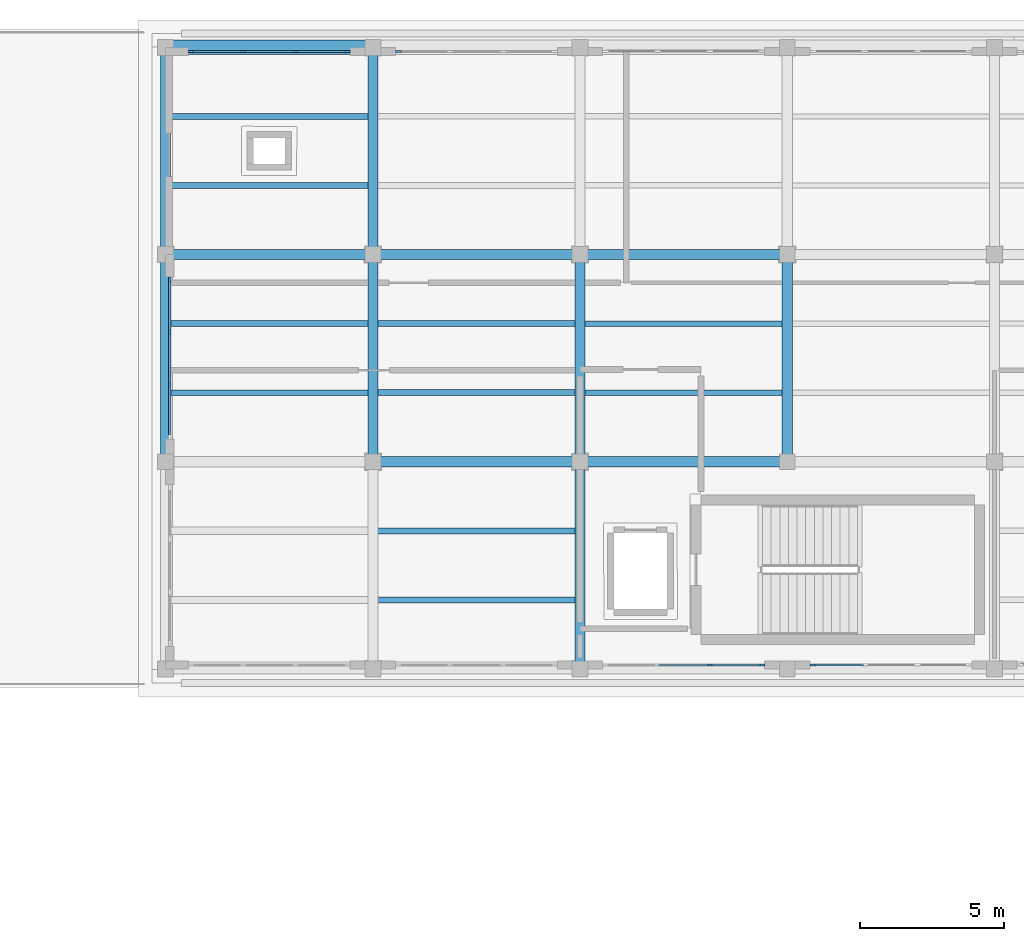
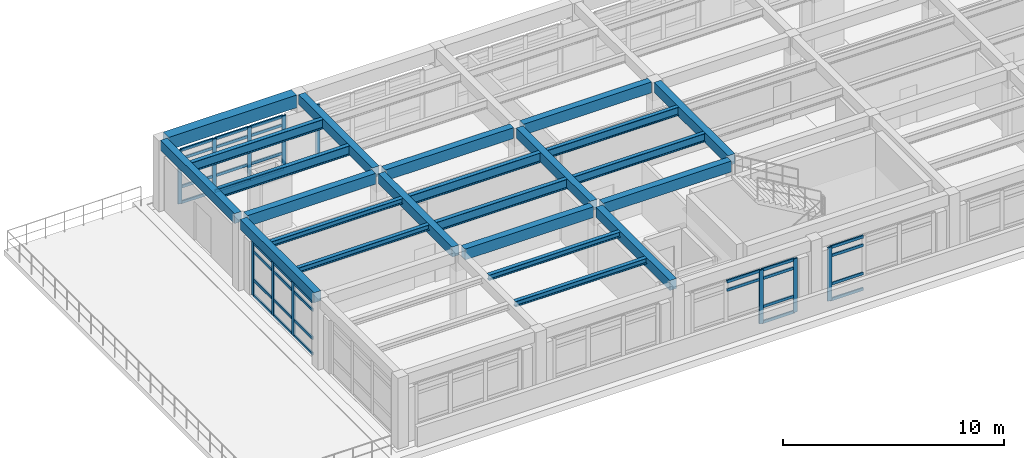
# One storey, part 3 of 21: 45 members, 23 beams, 5 elements without a shape of their own.
"""IFC4 building model written with IfcOpenShell, lengths in metres."""

from ifc_helpers import new_model, si_unit, direction, frame, origin, origin_2d, place, context, subcontext, project, spatial, rectangle, i_section, extrude, material, layer, layer_set, material_profile, profile_set, type_object, element, aggregate, save


model = new_model("IFC4")

# Units and contexts
model_context = context("Model", 3, precision=1e-05, world=origin(), true_north=direction((0.0, 1.0)))
body_context = subcontext(model_context, "Body", "Model", "MODEL_VIEW")
ifc_project = project(units=[si_unit("LENGTHUNIT", "METRE"), si_unit("AREAUNIT", "SQUARE_METRE"), si_unit("VOLUMEUNIT", "CUBIC_METRE"), si_unit("PLANEANGLEUNIT", "RADIAN"), si_unit("MASSUNIT", "GRAM", prefix="KILO")], contexts=[model_context])

# Site, building, storey
site_placement = place(None, origin())
site = spatial("IfcSite", under=ifc_project, at=site_placement, CompositionType="ELEMENT")
building_placement = place(site_placement, origin())
building = spatial("IfcBuilding", under=site, at=building_placement, Name="Solenvale Faculty of Natural Sciences", CompositionType="ELEMENT")
storey_placement = place(building_placement, frame((0.0, 0.0, 31.199951171875)))
storey = spatial("IfcBuildingStorey", under=building, at=storey_placement, Name="L07", CompositionType="ELEMENT", Elevation=31.199951171875)

# Beams
ifc_material_1 = material(Name="Concrete 40 MPa", Category="concrete")
ifc_material_profile_1 = material_profile(ifc_material_1, rectangle(XDim=0.35009765625, YDim=0.550048828125, at=origin_2d()), Name="RC-BM-350x550")
ifc_profile_set_1 = profile_set([ifc_material_profile_1], Name="Concrete 40 MPa")
beam_type_1 = type_object("IfcBeamType", Name="BM-RC-350x550", PredefinedType="BEAM", material=ifc_profile_set_1)
for number, where, z_axis, x_axis, name in (
    (1, (86.39990234375, 101.054931640625, 3.64501953125), (0.0, 1.0, 0.0), (-1.0, 0.0, 0.0), "L07 Y-Girder X86.4 (100.8..108.0)"),
    (2, (86.39990234375, 108.2548828125, 3.64501953125), (0.0, 1.0, 0.0), (-1.0, 0.0, 0.0), "L07 Y-Girder X86.4 (108.0..115.2)"),
    (3, (93.60009765625, 101.054931640625, 3.64501953125), (0.0, 1.0, 0.0), (-1.0, 0.0, 0.0), "L07 Y-Girder X93.6 (100.8..108.0)"),
    (4, (93.60009765625, 108.2548828125, 3.64501953125), (0.0, 1.0, 0.0), (-1.0, 0.0, 0.0), "L07 Y-Girder X93.6 (108.0..115.2)"),
):
    element("IfcBeam", number, at=place(storey_placement, frame(where, z_axis=z_axis, x_axis=x_axis)), inside=storey, type_object=beam_type_1, Name=name, PredefinedType="BEAM", context=body_context, shape_type="SweptSolid", body=[
        extrude(rectangle(XDim=0.35009765625, YDim=0.550048828125, at=origin_2d()), origin(), (0.0, 0.0, 1.0), 6.690185546875),
    ])
beam_1_placement = place(storey_placement, frame((100.800048828125, 93.85498046875, 3.64501953125), z_axis=(0.0, 1.0, 0.0), x_axis=(-1.0, 0.0, 0.0)))
element("IfcBeam", 5, at=beam_1_placement, inside=storey, type_object=beam_type_1, Name="L07 Y-Girder X100.8 (93.6..100.8)", PredefinedType="BEAM", context=body_context, shape_type="SweptSolid", body=[
    extrude(rectangle(XDim=0.35009765625, YDim=0.550048828125, at=origin_2d()), origin(), (0.0, 0.0, 1.0), 6.68994140625),
])
for number, where, z_axis, x_axis, name in (
    (6, (100.800048828125, 101.054931640625, 3.64501953125), (0.0, 1.0, 0.0), (-1.0, 0.0, 0.0), "L07 Y-Girder X100.8 (100.8..108.0)"),
    (7, (108.0, 101.054931640625, 3.64501953125), (0.0, 1.0, 0.0), (-1.0, 0.0, 0.0), "L07 Y-Girder X108.0 (100.8..108.0)"),
):
    element("IfcBeam", number, at=place(storey_placement, frame(where, z_axis=z_axis, x_axis=x_axis)), inside=storey, type_object=beam_type_1, Name=name, PredefinedType="BEAM", context=body_context, shape_type="SweptSolid", body=[
        extrude(rectangle(XDim=0.35009765625, YDim=0.550048828125, at=origin_2d()), origin(), (0.0, 0.0, 1.0), 6.690185546875),
    ])
ifc_material_profile_2 = material_profile(ifc_material_1, rectangle(XDim=0.35009765625, YDim=0.60009765625, at=origin_2d()), Name="RC-BM-350x600")
ifc_profile_set_2 = profile_set([ifc_material_profile_2], Name="Concrete 40 MPa")
beam_type_2 = type_object("IfcBeamType", Name="BM-RC-350x600", PredefinedType="BEAM", material=ifc_profile_set_2)
beam_2_placement = place(storey_placement, frame((93.85498046875, 100.800048828125, 3.6201171875), z_axis=(1.0, 0.0, 0.0), x_axis=(0.0, 1.0, 0.0)))
element("IfcBeam", 8, at=beam_2_placement, inside=storey, type_object=beam_type_2, Name="L07 X-Girder Y100.8 (93.6..100.8)", PredefinedType="BEAM", context=body_context, shape_type="SweptSolid", body=[
    extrude(rectangle(XDim=0.35009765625, YDim=0.60009765625, at=origin_2d()), origin(), (0.0, 0.0, 1.0), 6.68994140625),
])
beam_3_placement = place(storey_placement, frame((101.054931640625, 100.800048828125, 3.6201171875), z_axis=(1.0, 0.0, 0.0), x_axis=(0.0, 1.0, 0.0)))
element("IfcBeam", 9, at=beam_3_placement, inside=storey, type_object=beam_type_2, Name="L07 X-Girder Y100.8 (100.8..108.0)", PredefinedType="BEAM", context=body_context, shape_type="SweptSolid", body=[
    extrude(rectangle(XDim=0.35009765625, YDim=0.60009765625, at=origin_2d()), origin(), (0.0, 0.0, 1.0), 6.690185546875),
])
for number, where, z_axis, x_axis, name in (
    (10, (86.655029296875, 108.0, 3.6201171875), (1.0, 0.0, 0.0), (0.0, 1.0, 0.0), "L07 X-Girder Y108.0 (86.4..93.6)"),
    (11, (93.85498046875, 108.0, 3.6201171875), (1.0, 0.0, 0.0), (0.0, 1.0, 0.0), "L07 X-Girder Y108.0 (93.6..100.8)"),
):
    element("IfcBeam", number, at=place(storey_placement, frame(where, z_axis=z_axis, x_axis=x_axis)), inside=storey, type_object=beam_type_2, Name=name, PredefinedType="BEAM", context=body_context, shape_type="SweptSolid", body=[
        extrude(rectangle(XDim=0.35009765625, YDim=0.60009765625, at=origin_2d()), origin(), (0.0, 0.0, 1.0), 6.68994140625),
    ])
beam_4_placement = place(storey_placement, frame((101.054931640625, 108.0, 3.6201171875), z_axis=(1.0, 0.0, 0.0), x_axis=(0.0, 1.0, 0.0)))
element("IfcBeam", 12, at=beam_4_placement, inside=storey, type_object=beam_type_2, Name="L07 X-Girder Y108.0 (100.8..108.0)", PredefinedType="BEAM", context=body_context, shape_type="SweptSolid", body=[
    extrude(rectangle(XDim=0.35009765625, YDim=0.60009765625, at=origin_2d()), origin(), (0.0, 0.0, 1.0), 6.690185546875),
])
ifc_material_2 = material(Name="Precast concrete 40 MPa", Category="concrete")
ifc_material_profile_3 = material_profile(ifc_material_2, rectangle(XDim=0.5, YDim=0.699951171875, at=origin_2d()), Name="RC-BM-500x700")
ifc_profile_set_3 = profile_set([ifc_material_profile_3], Name="Precast concrete 40 MPa")
beam_type_3 = type_object("IfcBeamType", Name="BM-SPN-PRC-700", PredefinedType="SPANDREL", material=ifc_profile_set_3)
beam_5_placement = place(storey_placement, frame((86.655029296875, 115.199951171875, 3.570068359375), z_axis=(1.0, 0.0, 0.0), x_axis=(0.0, 1.0, 0.0)))
element("IfcBeam", 13, at=beam_5_placement, inside=storey, type_object=beam_type_3, Name="L07 X-Girder Y115.2 (86.4..93.6)", PredefinedType="SPANDREL", context=body_context, shape_type="SweptSolid", body=[
    extrude(rectangle(XDim=0.5, YDim=0.699951171875, at=origin_2d()), origin(), (0.0, 0.0, 1.0), 6.68994140625),
])
ifc_material_3 = material(Name="Steel S355", Category="steel")
ifc_material_profile_4 = material_profile(ifc_material_3, i_section(OverallWidth=0.202880859375, OverallDepth=0.302978515625, WebThickness=0.007568359375, FlangeThickness=0.01318359375, FilletRadius=0.014892578125, at=origin_2d()), Name="W310x60")
ifc_profile_set_4 = profile_set([ifc_material_profile_4], Name="Steel S355")
beam_type_4 = type_object("IfcBeamType", Name="BM-STL-W310x60", PredefinedType="JOIST", material=ifc_profile_set_4)
for number, where, z_axis, x_axis, name in (
    (14, (86.554931640625, 103.199951171875, 3.7685546875), (1.0, 0.0, 0.0), (0.0, 1.0, 0.0), "L07 Composite Floor Joist (13,15).1"),
    (15, (86.554931640625, 105.60009765625, 3.7685546875), (1.0, 0.0, 0.0), (0.0, 1.0, 0.0), "L07 Composite Floor Joist (13,15).2"),
    (16, (93.7548828125, 96.0, 3.7685546875), (1.0, 0.0, 0.0), (0.0, 1.0, 0.0), "L07 Composite Floor Joist (14,14).1"),
    (17, (93.7548828125, 98.39990234375, 3.7685546875), (1.0, 0.0, 0.0), (0.0, 1.0, 0.0), "L07 Composite Floor Joist (14,14).2"),
):
    element("IfcBeam", number, at=place(storey_placement, frame(where, z_axis=z_axis, x_axis=x_axis)), inside=storey, type_object=beam_type_4, Name=name, PredefinedType="JOIST", context=body_context, shape_type="SweptSolid", body=[
        extrude(i_section(OverallWidth=0.202880859375, OverallDepth=0.302978515625, WebThickness=0.007568359375, FlangeThickness=0.01318359375, FilletRadius=0.014892578125, at=origin_2d()), origin(), (0.0, 0.0, 1.0), 6.89013671875),
    ])
ifc_material_profile_5 = material_profile(ifc_material_3, i_section(OverallWidth=0.194091796875, OverallDepth=0.468994140625, WebThickness=0.0126953125, FlangeThickness=0.0205078125, FilletRadius=0.01806640625, at=origin_2d()), Name="W460x106")
ifc_profile_set_5 = profile_set([ifc_material_profile_5], Name="Steel S355")
beam_type_5 = type_object("IfcBeamType", Name="BM-STL-W460x106", PredefinedType="JOIST", material=ifc_profile_set_5)
for number, where, z_axis, x_axis, name in (
    (18, (100.955078125, 103.199951171875, 3.685546875), (1.0, 0.0, 0.0), (0.0, 1.0, 0.0), "L07 Composite Floor Joist (15,15).1"),
    (19, (100.955078125, 105.60009765625, 3.685546875), (1.0, 0.0, 0.0), (0.0, 1.0, 0.0), "L07 Composite Floor Joist (15,15).2"),
):
    element("IfcBeam", number, at=place(storey_placement, frame(where, z_axis=z_axis, x_axis=x_axis)), inside=storey, type_object=beam_type_5, Name=name, PredefinedType="JOIST", context=body_context, shape_type="SweptSolid", body=[
        extrude(i_section(OverallWidth=0.194091796875, OverallDepth=0.468994140625, WebThickness=0.0126953125, FlangeThickness=0.0205078125, FilletRadius=0.01806640625, at=origin_2d()), origin(), (0.0, 0.0, 1.0), 6.889892578125),
    ])
ifc_material_profile_6 = material_profile(ifc_material_3, i_section(OverallWidth=0.208984375, OverallDepth=0.532958984375, WebThickness=0.01025390625, FlangeThickness=0.015625, FilletRadius=0.01904296875, at=origin_2d()), Name="W530x92")
ifc_profile_set_6 = profile_set([ifc_material_profile_6], Name="Steel S355")
beam_type_6 = type_object("IfcBeamType", Name="BM-STL-W530x92", PredefinedType="JOIST", material=ifc_profile_set_6)
for number, where, z_axis, x_axis, name in (
    (20, (86.554931640625, 110.39990234375, 3.653564453125), (1.0, 0.0, 0.0), (0.0, 1.0, 0.0), "L07 Composite Floor Joist (13,16).1"),
    (21, (86.554931640625, 112.800048828125, 3.653564453125), (1.0, 0.0, 0.0), (0.0, 1.0, 0.0), "L07 Composite Floor Joist (13,16).2"),
    (22, (93.7548828125, 103.199951171875, 3.653564453125), (1.0, 0.0, 0.0), (0.0, 1.0, 0.0), "L07 Composite Floor Joist (14,15).1"),
    (23, (93.7548828125, 105.60009765625, 3.653564453125), (1.0, 0.0, 0.0), (0.0, 1.0, 0.0), "L07 Composite Floor Joist (14,15).2"),
):
    element("IfcBeam", number, at=place(storey_placement, frame(where, z_axis=z_axis, x_axis=x_axis)), inside=storey, type_object=beam_type_6, Name=name, PredefinedType="JOIST", context=body_context, shape_type="SweptSolid", body=[
        extrude(i_section(OverallWidth=0.208984375, OverallDepth=0.532958984375, WebThickness=0.01025390625, FlangeThickness=0.015625, FilletRadius=0.01904296875, at=origin_2d()), origin(), (0.0, 0.0, 1.0), 6.89013671875),
    ])

# Curtain wall, member
ifc_material_4 = material(Name="Anodised bronze aluminium", Category="aluminium")
ifc_layer = layer(ifc_material_4, 0.179931640625)
ifc_layer_set = layer_set([ifc_layer], Name="Anodised bronze aluminium")
curtain_wall_type = type_object("IfcCurtainWallType", Name="CW-TWR-MOD", PredefinedType="USERDEFINED", material=ifc_layer_set)
curtain_wall_1_placement = place(storey_placement, origin())
curtain_wall_1 = element("IfcCurtainWall", 24, at=curtain_wall_1_placement, inside=storey, type_object=curtain_wall_type, Name="L07 Curtain Wall CW-L07-P1-E2-B8", ObjectType="UNITISED CURTAIN WALL", PredefinedType="USERDEFINED")
ifc_material_profile_7 = material_profile(ifc_material_4, rectangle(XDim=0.074951171875, YDim=0.2099609375, at=origin_2d()), Name="ALU-MUL-75x210")
ifc_profile_set_7 = profile_set([ifc_material_profile_7], Name="Anodised bronze aluminium")
member_type_1 = type_object("IfcMemberType", Name="CWM-ALU-75x210", PredefinedType="MULLION", material=ifc_profile_set_7)
member_1_placement = place(storey_placement, frame((94.487548828125, 115.0576171875, 0.0), z_axis=(0.0, 0.0, 1.0), x_axis=(0.0, -1.0, 0.0)))
member_1 = element("IfcMember", 25, at=member_1_placement, type_object=member_type_1, Name="CW-04 mullion 4", PredefinedType="MULLION", context=body_context, shape_type="SweptSolid", body=[
    extrude(rectangle(XDim=0.074951171875, YDim=0.2099609375, at=origin_2d()), origin(), (0.0, 0.0, 1.0), 2.9599609375),
])
aggregate(curtain_wall_1, [member_1])

# Curtain wall, members
curtain_wall_2_placement = place(storey_placement, origin())
curtain_wall_2 = element("IfcCurtainWall", 26, at=curtain_wall_2_placement, inside=storey, type_object=curtain_wall_type, Name="L07 Curtain Wall CW-L07-P1-E2-B9", ObjectType="UNITISED CURTAIN WALL", PredefinedType="USERDEFINED")
member_2_placement = place(storey_placement, frame((92.71240234375, 115.0576171875, 0.0), z_axis=(0.0, 0.0, 1.0), x_axis=(0.0, -1.0, 0.0)))
member_2 = element("IfcMember", 27, at=member_2_placement, type_object=member_type_1, Name="CW-04 mullion 1", PredefinedType="MULLION", context=body_context, shape_type="SweptSolid", body=[
    extrude(rectangle(XDim=0.074951171875, YDim=0.2099609375, at=origin_2d()), origin(), (0.0, 0.0, 1.0), 2.9599609375),
])
member_3_placement = place(storey_placement, frame((90.916748046875, 115.0576171875, 0.0), z_axis=(0.0, 0.0, 1.0), x_axis=(0.0, -1.0, 0.0)))
member_3 = element("IfcMember", 28, at=member_3_placement, type_object=member_type_1, Name="CW-04 mullion 2", PredefinedType="MULLION", context=body_context, shape_type="SweptSolid", body=[
    extrude(rectangle(XDim=0.074951171875, YDim=0.2099609375, at=origin_2d()), origin(), (0.0, 0.0, 1.0), 2.9599609375),
])
member_4_placement = place(storey_placement, frame((89.083251953125, 115.0576171875, 0.0), z_axis=(0.0, 0.0, 1.0), x_axis=(0.0, -1.0, 0.0)))
member_4 = element("IfcMember", 29, at=member_4_placement, type_object=member_type_1, Name="CW-04 mullion 3", PredefinedType="MULLION", context=body_context, shape_type="SweptSolid", body=[
    extrude(rectangle(XDim=0.074951171875, YDim=0.2099609375, at=origin_2d()), origin(), (0.0, 0.0, 1.0), 2.9599609375),
])
member_5_placement = place(storey_placement, frame((87.28759765625, 115.0576171875, 0.0), z_axis=(0.0, 0.0, 1.0), x_axis=(0.0, -1.0, 0.0)))
member_5 = element("IfcMember", 30, at=member_5_placement, type_object=member_type_1, Name="CW-04 mullion 4", PredefinedType="MULLION", context=body_context, shape_type="SweptSolid", body=[
    extrude(rectangle(XDim=0.074951171875, YDim=0.2099609375, at=origin_2d()), origin(), (0.0, 0.0, 1.0), 2.9599609375),
])

curtain_wall_3_placement = place(storey_placement, origin())
curtain_wall_3 = element("IfcCurtainWall", 31, at=curtain_wall_3_placement, inside=storey, type_object=curtain_wall_type, Name="L07 Curtain Wall CW-L07-P1-E3-B2", ObjectType="UNITISED CURTAIN WALL", PredefinedType="USERDEFINED")
member_6_placement = place(storey_placement, frame((86.54248046875, 107.112548828125, 0.0), z_axis=(0.0, 0.0, 1.0), x_axis=(1.0, 0.0, 0.0)))
member_6 = element("IfcMember", 32, at=member_6_placement, type_object=member_type_1, Name="CW-04 mullion 1", PredefinedType="MULLION", context=body_context, shape_type="SweptSolid", body=[
    extrude(rectangle(XDim=0.074951171875, YDim=0.2099609375, at=origin_2d()), origin(), (0.0, 0.0, 1.0), 2.9599609375),
])
member_7_placement = place(storey_placement, frame((86.54248046875, 105.316650390625, 0.0), z_axis=(0.0, 0.0, 1.0), x_axis=(1.0, 0.0, 0.0)))
member_7 = element("IfcMember", 33, at=member_7_placement, type_object=member_type_1, Name="CW-04 mullion 2", PredefinedType="MULLION", context=body_context, shape_type="SweptSolid", body=[
    extrude(rectangle(XDim=0.074951171875, YDim=0.2099609375, at=origin_2d()), origin(), (0.0, 0.0, 1.0), 2.9599609375),
])
member_8_placement = place(storey_placement, frame((86.54248046875, 103.4833984375, 0.0), z_axis=(0.0, 0.0, 1.0), x_axis=(1.0, 0.0, 0.0)))
member_8 = element("IfcMember", 34, at=member_8_placement, type_object=member_type_1, Name="CW-04 mullion 3", PredefinedType="MULLION", context=body_context, shape_type="SweptSolid", body=[
    extrude(rectangle(XDim=0.074951171875, YDim=0.2099609375, at=origin_2d()), origin(), (0.0, 0.0, 1.0), 2.9599609375),
])

curtain_wall_4_placement = place(storey_placement, origin())
curtain_wall_4 = element("IfcCurtainWall", 35, at=curtain_wall_4_placement, inside=storey, type_object=curtain_wall_type, Name="L07 Curtain Wall CW-L07-P1-E4-B3", ObjectType="UNITISED CURTAIN WALL", PredefinedType="USERDEFINED")
member_9_placement = place(storey_placement, frame((105.316650390625, 93.742431640625, 0.0), z_axis=(0.0, 0.0, 1.0), x_axis=(0.0, 1.0, 0.0)))
member_9 = element("IfcMember", 36, at=member_9_placement, type_object=member_type_1, Name="CW-04 mullion 3", PredefinedType="MULLION", context=body_context, shape_type="SweptSolid", body=[
    extrude(rectangle(XDim=0.074951171875, YDim=0.2099609375, at=origin_2d()), origin(), (0.0, 0.0, 1.0), 2.9599609375),
])
member_10_placement = place(storey_placement, frame((107.112548828125, 93.742431640625, 0.0), z_axis=(0.0, 0.0, 1.0), x_axis=(0.0, 1.0, 0.0)))
member_10 = element("IfcMember", 37, at=member_10_placement, type_object=member_type_1, Name="CW-04 mullion 4", PredefinedType="MULLION", context=body_context, shape_type="SweptSolid", body=[
    extrude(rectangle(XDim=0.074951171875, YDim=0.2099609375, at=origin_2d()), origin(), (0.0, 0.0, 1.0), 2.9599609375),
])

# Curtain wall, member
curtain_wall_5_placement = place(storey_placement, origin())
curtain_wall_5 = element("IfcCurtainWall", 38, at=curtain_wall_5_placement, inside=storey, type_object=curtain_wall_type, Name="L07 Curtain Wall CW-L07-P1-E4-B4", ObjectType="UNITISED CURTAIN WALL", PredefinedType="USERDEFINED")
member_11_placement = place(storey_placement, frame((108.887451171875, 93.742431640625, 0.0), z_axis=(0.0, 0.0, 1.0), x_axis=(0.0, 1.0, 0.0)))
member_11 = element("IfcMember", 39, at=member_11_placement, type_object=member_type_1, Name="CW-04 mullion 1", PredefinedType="MULLION", context=body_context, shape_type="SweptSolid", body=[
    extrude(rectangle(XDim=0.074951171875, YDim=0.2099609375, at=origin_2d()), origin(), (0.0, 0.0, 1.0), 2.9599609375),
])

# Member
ifc_material_profile_8 = material_profile(ifc_material_4, rectangle(XDim=0.074951171875, YDim=0.155029296875, at=origin_2d()), Name="ALU-TRN-75x155")
ifc_profile_set_8 = profile_set([ifc_material_profile_8], Name="Anodised bronze aluminium")
member_type_2 = type_object("IfcMemberType", Name="CWT-ALU-75x155", PredefinedType="USERDEFINED", material=ifc_profile_set_8)
member_12_placement = place(storey_placement, frame((92.675048828125, 115.0576171875, 0.03759765625), z_axis=(-1.0, 0.0, 0.0), x_axis=(0.0, -1.0, 0.0)))
member_12 = element("IfcMember", 40, at=member_12_placement, type_object=member_type_2, Name="CW-04 transom 1.1", ObjectType="TRANSOM", PredefinedType="USERDEFINED", context=body_context, shape_type="SweptSolid", body=[
    extrude(rectangle(XDim=0.074951171875, YDim=0.155029296875, at=origin_2d()), origin(), (0.0, 0.0, 1.0), 1.720947265625),
])

member_13_placement = place(storey_placement, frame((92.675048828125, 115.0576171875, 0.900146484375), z_axis=(-1.0, 0.0, 0.0), x_axis=(0.0, -1.0, 0.0)))
member_13 = element("IfcMember", 41, at=member_13_placement, type_object=member_type_2, Name="CW-04 transom 1.2", ObjectType="TRANSOM", PredefinedType="USERDEFINED", context=body_context, shape_type="SweptSolid", body=[
    extrude(rectangle(XDim=0.074951171875, YDim=0.155029296875, at=origin_2d()), origin(), (0.0, 0.0, 1.0), 1.720947265625),
])

member_14_placement = place(storey_placement, frame((92.675048828125, 115.0576171875, 2.4599609375), z_axis=(-1.0, 0.0, 0.0), x_axis=(0.0, -1.0, 0.0)))
member_14 = element("IfcMember", 42, at=member_14_placement, type_object=member_type_2, Name="CW-04 transom 1.3", ObjectType="TRANSOM", PredefinedType="USERDEFINED", context=body_context, shape_type="SweptSolid", body=[
    extrude(rectangle(XDim=0.074951171875, YDim=0.155029296875, at=origin_2d()), origin(), (0.0, 0.0, 1.0), 1.720947265625),
])

member_15_placement = place(storey_placement, frame((92.675048828125, 115.0576171875, 2.922607421875), z_axis=(-1.0, 0.0, 0.0), x_axis=(0.0, -1.0, 0.0)))
member_15 = element("IfcMember", 43, at=member_15_placement, type_object=member_type_2, Name="CW-04 transom 1.4", ObjectType="TRANSOM", PredefinedType="USERDEFINED", context=body_context, shape_type="SweptSolid", body=[
    extrude(rectangle(XDim=0.074951171875, YDim=0.155029296875, at=origin_2d()), origin(), (0.0, 0.0, 1.0), 1.720947265625),
])

member_16_placement = place(storey_placement, frame((90.879150390625, 115.0576171875, 0.03759765625), z_axis=(-1.0, 0.0, 0.0), x_axis=(0.0, -1.0, 0.0)))
member_16 = element("IfcMember", 44, at=member_16_placement, type_object=member_type_2, Name="CW-04 transom 2.1", ObjectType="TRANSOM", PredefinedType="USERDEFINED", context=body_context, shape_type="SweptSolid", body=[
    extrude(rectangle(XDim=0.074951171875, YDim=0.155029296875, at=origin_2d()), origin(), (0.0, 0.0, 1.0), 1.75830078125),
])

member_17_placement = place(storey_placement, frame((90.879150390625, 115.0576171875, 0.900146484375), z_axis=(-1.0, 0.0, 0.0), x_axis=(0.0, -1.0, 0.0)))
member_17 = element("IfcMember", 45, at=member_17_placement, type_object=member_type_2, Name="CW-04 transom 2.2", ObjectType="TRANSOM", PredefinedType="USERDEFINED", context=body_context, shape_type="SweptSolid", body=[
    extrude(rectangle(XDim=0.074951171875, YDim=0.155029296875, at=origin_2d()), origin(), (0.0, 0.0, 1.0), 1.75830078125),
])

member_18_placement = place(storey_placement, frame((90.879150390625, 115.0576171875, 2.4599609375), z_axis=(-1.0, 0.0, 0.0), x_axis=(0.0, -1.0, 0.0)))
member_18 = element("IfcMember", 46, at=member_18_placement, type_object=member_type_2, Name="CW-04 transom 2.3", ObjectType="TRANSOM", PredefinedType="USERDEFINED", context=body_context, shape_type="SweptSolid", body=[
    extrude(rectangle(XDim=0.074951171875, YDim=0.155029296875, at=origin_2d()), origin(), (0.0, 0.0, 1.0), 1.75830078125),
])

member_19_placement = place(storey_placement, frame((90.879150390625, 115.0576171875, 2.922607421875), z_axis=(-1.0, 0.0, 0.0), x_axis=(0.0, -1.0, 0.0)))
member_19 = element("IfcMember", 47, at=member_19_placement, type_object=member_type_2, Name="CW-04 transom 2.4", ObjectType="TRANSOM", PredefinedType="USERDEFINED", context=body_context, shape_type="SweptSolid", body=[
    extrude(rectangle(XDim=0.074951171875, YDim=0.155029296875, at=origin_2d()), origin(), (0.0, 0.0, 1.0), 1.75830078125),
])

member_20_placement = place(storey_placement, frame((89.0458984375, 115.0576171875, 0.03759765625), z_axis=(-1.0, 0.0, 0.0), x_axis=(0.0, -1.0, 0.0)))
member_20 = element("IfcMember", 48, at=member_20_placement, type_object=member_type_2, Name="CW-04 transom 3.1", ObjectType="TRANSOM", PredefinedType="USERDEFINED", context=body_context, shape_type="SweptSolid", body=[
    extrude(rectangle(XDim=0.074951171875, YDim=0.155029296875, at=origin_2d()), origin(), (0.0, 0.0, 1.0), 1.720947265625),
])

member_21_placement = place(storey_placement, frame((89.0458984375, 115.0576171875, 0.900146484375), z_axis=(-1.0, 0.0, 0.0), x_axis=(0.0, -1.0, 0.0)))
member_21 = element("IfcMember", 49, at=member_21_placement, type_object=member_type_2, Name="CW-04 transom 3.2", ObjectType="TRANSOM", PredefinedType="USERDEFINED", context=body_context, shape_type="SweptSolid", body=[
    extrude(rectangle(XDim=0.074951171875, YDim=0.155029296875, at=origin_2d()), origin(), (0.0, 0.0, 1.0), 1.720947265625),
])

member_22_placement = place(storey_placement, frame((89.0458984375, 115.0576171875, 2.4599609375), z_axis=(-1.0, 0.0, 0.0), x_axis=(0.0, -1.0, 0.0)))
member_22 = element("IfcMember", 50, at=member_22_placement, type_object=member_type_2, Name="CW-04 transom 3.3", ObjectType="TRANSOM", PredefinedType="USERDEFINED", context=body_context, shape_type="SweptSolid", body=[
    extrude(rectangle(XDim=0.074951171875, YDim=0.155029296875, at=origin_2d()), origin(), (0.0, 0.0, 1.0), 1.720947265625),
])

member_23_placement = place(storey_placement, frame((89.0458984375, 115.0576171875, 2.922607421875), z_axis=(-1.0, 0.0, 0.0), x_axis=(0.0, -1.0, 0.0)))
member_23 = element("IfcMember", 51, at=member_23_placement, type_object=member_type_2, Name="CW-04 transom 3.4", ObjectType="TRANSOM", PredefinedType="USERDEFINED", context=body_context, shape_type="SweptSolid", body=[
    extrude(rectangle(XDim=0.074951171875, YDim=0.155029296875, at=origin_2d()), origin(), (0.0, 0.0, 1.0), 1.720947265625),
])

aggregate(curtain_wall_2, [member_2, member_3, member_4, member_5, member_12, member_13, member_14, member_15, member_16, member_17, member_18, member_19, member_20, member_21, member_22, member_23])

member_24_placement = place(storey_placement, frame((86.54248046875, 107.074951171875, 0.03759765625), z_axis=(0.0, -1.0, 0.0), x_axis=(1.0, 0.0, 0.0)))
member_24 = element("IfcMember", 52, at=member_24_placement, type_object=member_type_2, Name="CW-04 transom 1.1", ObjectType="TRANSOM", PredefinedType="USERDEFINED", context=body_context, shape_type="SweptSolid", body=[
    extrude(rectangle(XDim=0.074951171875, YDim=0.155029296875, at=origin_2d()), origin(), (0.0, 0.0, 1.0), 1.720703125),
])

member_25_placement = place(storey_placement, frame((86.54248046875, 107.074951171875, 0.900146484375), z_axis=(0.0, -1.0, 0.0), x_axis=(1.0, 0.0, 0.0)))
member_25 = element("IfcMember", 53, at=member_25_placement, type_object=member_type_2, Name="CW-04 transom 1.2", ObjectType="TRANSOM", PredefinedType="USERDEFINED", context=body_context, shape_type="SweptSolid", body=[
    extrude(rectangle(XDim=0.074951171875, YDim=0.155029296875, at=origin_2d()), origin(), (0.0, 0.0, 1.0), 1.720703125),
])

member_26_placement = place(storey_placement, frame((86.54248046875, 107.074951171875, 2.4599609375), z_axis=(0.0, -1.0, 0.0), x_axis=(1.0, 0.0, 0.0)))
member_26 = element("IfcMember", 54, at=member_26_placement, type_object=member_type_2, Name="CW-04 transom 1.3", ObjectType="TRANSOM", PredefinedType="USERDEFINED", context=body_context, shape_type="SweptSolid", body=[
    extrude(rectangle(XDim=0.074951171875, YDim=0.155029296875, at=origin_2d()), origin(), (0.0, 0.0, 1.0), 1.720703125),
])

member_27_placement = place(storey_placement, frame((86.54248046875, 107.074951171875, 2.922607421875), z_axis=(0.0, -1.0, 0.0), x_axis=(1.0, 0.0, 0.0)))
member_27 = element("IfcMember", 55, at=member_27_placement, type_object=member_type_2, Name="CW-04 transom 1.4", ObjectType="TRANSOM", PredefinedType="USERDEFINED", context=body_context, shape_type="SweptSolid", body=[
    extrude(rectangle(XDim=0.074951171875, YDim=0.155029296875, at=origin_2d()), origin(), (0.0, 0.0, 1.0), 1.720703125),
])

member_28_placement = place(storey_placement, frame((86.54248046875, 105.279052734375, 0.03759765625), z_axis=(0.0, -1.0, 0.0), x_axis=(1.0, 0.0, 0.0)))
member_28 = element("IfcMember", 56, at=member_28_placement, type_object=member_type_2, Name="CW-04 transom 2.1", ObjectType="TRANSOM", PredefinedType="USERDEFINED", context=body_context, shape_type="SweptSolid", body=[
    extrude(rectangle(XDim=0.074951171875, YDim=0.155029296875, at=origin_2d()), origin(), (0.0, 0.0, 1.0), 1.75830078125),
])

member_29_placement = place(storey_placement, frame((86.54248046875, 105.279052734375, 0.900146484375), z_axis=(0.0, -1.0, 0.0), x_axis=(1.0, 0.0, 0.0)))
member_29 = element("IfcMember", 57, at=member_29_placement, type_object=member_type_2, Name="CW-04 transom 2.2", ObjectType="TRANSOM", PredefinedType="USERDEFINED", context=body_context, shape_type="SweptSolid", body=[
    extrude(rectangle(XDim=0.074951171875, YDim=0.155029296875, at=origin_2d()), origin(), (0.0, 0.0, 1.0), 1.75830078125),
])

member_30_placement = place(storey_placement, frame((86.54248046875, 105.279052734375, 2.4599609375), z_axis=(0.0, -1.0, 0.0), x_axis=(1.0, 0.0, 0.0)))
member_30 = element("IfcMember", 58, at=member_30_placement, type_object=member_type_2, Name="CW-04 transom 2.3", ObjectType="TRANSOM", PredefinedType="USERDEFINED", context=body_context, shape_type="SweptSolid", body=[
    extrude(rectangle(XDim=0.074951171875, YDim=0.155029296875, at=origin_2d()), origin(), (0.0, 0.0, 1.0), 1.75830078125),
])

member_31_placement = place(storey_placement, frame((86.54248046875, 105.279052734375, 2.922607421875), z_axis=(0.0, -1.0, 0.0), x_axis=(1.0, 0.0, 0.0)))
member_31 = element("IfcMember", 59, at=member_31_placement, type_object=member_type_2, Name="CW-04 transom 2.4", ObjectType="TRANSOM", PredefinedType="USERDEFINED", context=body_context, shape_type="SweptSolid", body=[
    extrude(rectangle(XDim=0.074951171875, YDim=0.155029296875, at=origin_2d()), origin(), (0.0, 0.0, 1.0), 1.75830078125),
])

member_32_placement = place(storey_placement, frame((86.54248046875, 103.44580078125, 0.03759765625), z_axis=(0.0, -1.0, 0.0), x_axis=(1.0, 0.0, 0.0)))
member_32 = element("IfcMember", 60, at=member_32_placement, type_object=member_type_2, Name="CW-04 transom 3.1", ObjectType="TRANSOM", PredefinedType="USERDEFINED", context=body_context, shape_type="SweptSolid", body=[
    extrude(rectangle(XDim=0.074951171875, YDim=0.155029296875, at=origin_2d()), origin(), (0.0, 0.0, 1.0), 1.720703125),
])

member_33_placement = place(storey_placement, frame((86.54248046875, 103.44580078125, 0.900146484375), z_axis=(0.0, -1.0, 0.0), x_axis=(1.0, 0.0, 0.0)))
member_33 = element("IfcMember", 61, at=member_33_placement, type_object=member_type_2, Name="CW-04 transom 3.2", ObjectType="TRANSOM", PredefinedType="USERDEFINED", context=body_context, shape_type="SweptSolid", body=[
    extrude(rectangle(XDim=0.074951171875, YDim=0.155029296875, at=origin_2d()), origin(), (0.0, 0.0, 1.0), 1.720703125),
])

member_34_placement = place(storey_placement, frame((86.54248046875, 103.44580078125, 2.4599609375), z_axis=(0.0, -1.0, 0.0), x_axis=(1.0, 0.0, 0.0)))
member_34 = element("IfcMember", 62, at=member_34_placement, type_object=member_type_2, Name="CW-04 transom 3.3", ObjectType="TRANSOM", PredefinedType="USERDEFINED", context=body_context, shape_type="SweptSolid", body=[
    extrude(rectangle(XDim=0.074951171875, YDim=0.155029296875, at=origin_2d()), origin(), (0.0, 0.0, 1.0), 1.720703125),
])

member_35_placement = place(storey_placement, frame((86.54248046875, 103.44580078125, 2.922607421875), z_axis=(0.0, -1.0, 0.0), x_axis=(1.0, 0.0, 0.0)))
member_35 = element("IfcMember", 63, at=member_35_placement, type_object=member_type_2, Name="CW-04 transom 3.4", ObjectType="TRANSOM", PredefinedType="USERDEFINED", context=body_context, shape_type="SweptSolid", body=[
    extrude(rectangle(XDim=0.074951171875, YDim=0.155029296875, at=origin_2d()), origin(), (0.0, 0.0, 1.0), 1.720703125),
])

aggregate(curtain_wall_3, [member_6, member_7, member_8, member_24, member_25, member_26, member_27, member_28, member_29, member_30, member_31, member_32, member_33, member_34, member_35])

member_36_placement = place(storey_placement, frame((103.520751953125, 93.742431640625, 2.4599609375), z_axis=(1.0, 0.0, 0.0), x_axis=(0.0, 1.0, 0.0)))
member_36 = element("IfcMember", 64, at=member_36_placement, type_object=member_type_2, Name="CW-04 transom 2.3", ObjectType="TRANSOM", PredefinedType="USERDEFINED", context=body_context, shape_type="SweptSolid", body=[
    extrude(rectangle(XDim=0.074951171875, YDim=0.155029296875, at=origin_2d()), origin(), (0.0, 0.0, 1.0), 1.75830078125),
])

member_37_placement = place(storey_placement, frame((103.520751953125, 93.742431640625, 2.922607421875), z_axis=(1.0, 0.0, 0.0), x_axis=(0.0, 1.0, 0.0)))
member_37 = element("IfcMember", 65, at=member_37_placement, type_object=member_type_2, Name="CW-04 transom 2.4", ObjectType="TRANSOM", PredefinedType="USERDEFINED", context=body_context, shape_type="SweptSolid", body=[
    extrude(rectangle(XDim=0.074951171875, YDim=0.155029296875, at=origin_2d()), origin(), (0.0, 0.0, 1.0), 1.75830078125),
])

member_38_placement = place(storey_placement, frame((105.354248046875, 93.742431640625, 0.03759765625), z_axis=(1.0, 0.0, 0.0), x_axis=(0.0, 1.0, 0.0)))
member_38 = element("IfcMember", 66, at=member_38_placement, type_object=member_type_2, Name="CW-04 transom 3.1", ObjectType="TRANSOM", PredefinedType="USERDEFINED", context=body_context, shape_type="SweptSolid", body=[
    extrude(rectangle(XDim=0.074951171875, YDim=0.155029296875, at=origin_2d()), origin(), (0.0, 0.0, 1.0), 1.720703125),
])

member_39_placement = place(storey_placement, frame((105.354248046875, 93.742431640625, 0.900146484375), z_axis=(1.0, 0.0, 0.0), x_axis=(0.0, 1.0, 0.0)))
member_39 = element("IfcMember", 67, at=member_39_placement, type_object=member_type_2, Name="CW-04 transom 3.2", ObjectType="TRANSOM", PredefinedType="USERDEFINED", context=body_context, shape_type="SweptSolid", body=[
    extrude(rectangle(XDim=0.074951171875, YDim=0.155029296875, at=origin_2d()), origin(), (0.0, 0.0, 1.0), 1.720703125),
])

member_40_placement = place(storey_placement, frame((105.354248046875, 93.742431640625, 2.4599609375), z_axis=(1.0, 0.0, 0.0), x_axis=(0.0, 1.0, 0.0)))
member_40 = element("IfcMember", 68, at=member_40_placement, type_object=member_type_2, Name="CW-04 transom 3.3", ObjectType="TRANSOM", PredefinedType="USERDEFINED", context=body_context, shape_type="SweptSolid", body=[
    extrude(rectangle(XDim=0.074951171875, YDim=0.155029296875, at=origin_2d()), origin(), (0.0, 0.0, 1.0), 1.720703125),
])

member_41_placement = place(storey_placement, frame((105.354248046875, 93.742431640625, 2.922607421875), z_axis=(1.0, 0.0, 0.0), x_axis=(0.0, 1.0, 0.0)))
member_41 = element("IfcMember", 69, at=member_41_placement, type_object=member_type_2, Name="CW-04 transom 3.4", ObjectType="TRANSOM", PredefinedType="USERDEFINED", context=body_context, shape_type="SweptSolid", body=[
    extrude(rectangle(XDim=0.074951171875, YDim=0.155029296875, at=origin_2d()), origin(), (0.0, 0.0, 1.0), 1.720703125),
])

aggregate(curtain_wall_4, [member_9, member_10, member_36, member_37, member_38, member_39, member_40, member_41])

member_42_placement = place(storey_placement, frame((108.925048828125, 93.742431640625, 0.03759765625), z_axis=(1.0, 0.0, 0.0), x_axis=(0.0, 1.0, 0.0)))
member_42 = element("IfcMember", 70, at=member_42_placement, type_object=member_type_2, Name="CW-04 transom 1.1", ObjectType="TRANSOM", PredefinedType="USERDEFINED", context=body_context, shape_type="SweptSolid", body=[
    extrude(rectangle(XDim=0.074951171875, YDim=0.155029296875, at=origin_2d()), origin(), (0.0, 0.0, 1.0), 1.720703125),
])

member_43_placement = place(storey_placement, frame((108.925048828125, 93.742431640625, 0.900146484375), z_axis=(1.0, 0.0, 0.0), x_axis=(0.0, 1.0, 0.0)))
member_43 = element("IfcMember", 71, at=member_43_placement, type_object=member_type_2, Name="CW-04 transom 1.2", ObjectType="TRANSOM", PredefinedType="USERDEFINED", context=body_context, shape_type="SweptSolid", body=[
    extrude(rectangle(XDim=0.074951171875, YDim=0.155029296875, at=origin_2d()), origin(), (0.0, 0.0, 1.0), 1.720703125),
])

member_44_placement = place(storey_placement, frame((108.925048828125, 93.742431640625, 2.4599609375), z_axis=(1.0, 0.0, 0.0), x_axis=(0.0, 1.0, 0.0)))
member_44 = element("IfcMember", 72, at=member_44_placement, type_object=member_type_2, Name="CW-04 transom 1.3", ObjectType="TRANSOM", PredefinedType="USERDEFINED", context=body_context, shape_type="SweptSolid", body=[
    extrude(rectangle(XDim=0.074951171875, YDim=0.155029296875, at=origin_2d()), origin(), (0.0, 0.0, 1.0), 1.720703125),
])

member_45_placement = place(storey_placement, frame((108.925048828125, 93.742431640625, 2.922607421875), z_axis=(1.0, 0.0, 0.0), x_axis=(0.0, 1.0, 0.0)))
member_45 = element("IfcMember", 73, at=member_45_placement, type_object=member_type_2, Name="CW-04 transom 1.4", ObjectType="TRANSOM", PredefinedType="USERDEFINED", context=body_context, shape_type="SweptSolid", body=[
    extrude(rectangle(XDim=0.074951171875, YDim=0.155029296875, at=origin_2d()), origin(), (0.0, 0.0, 1.0), 1.720703125),
])

aggregate(curtain_wall_5, [member_11, member_42, member_43, member_44, member_45])

save(model, "model.ifc")
